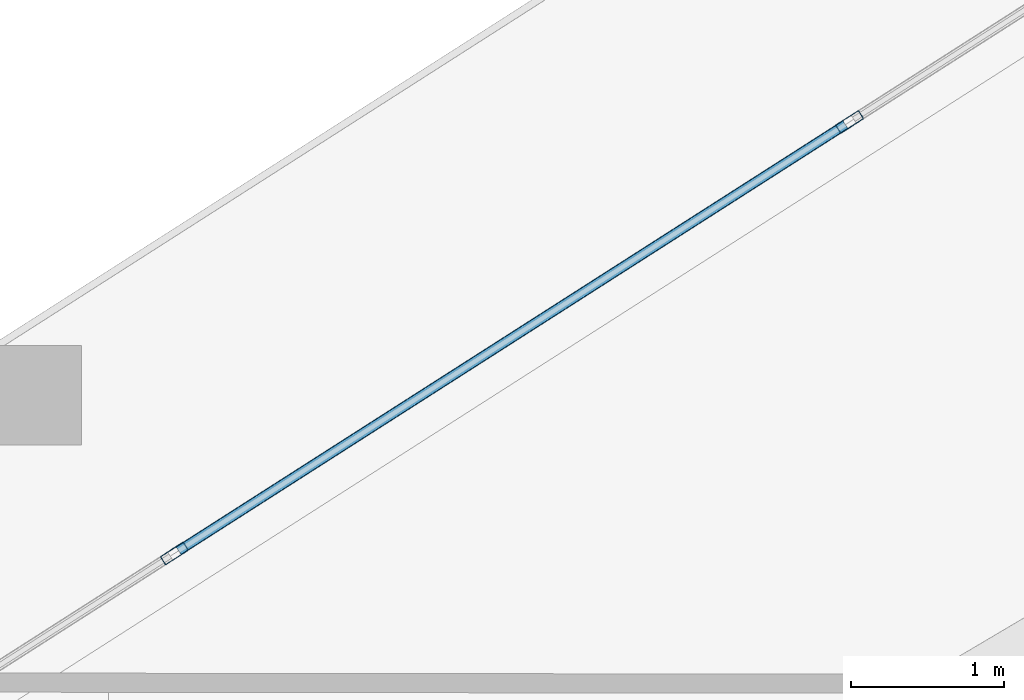
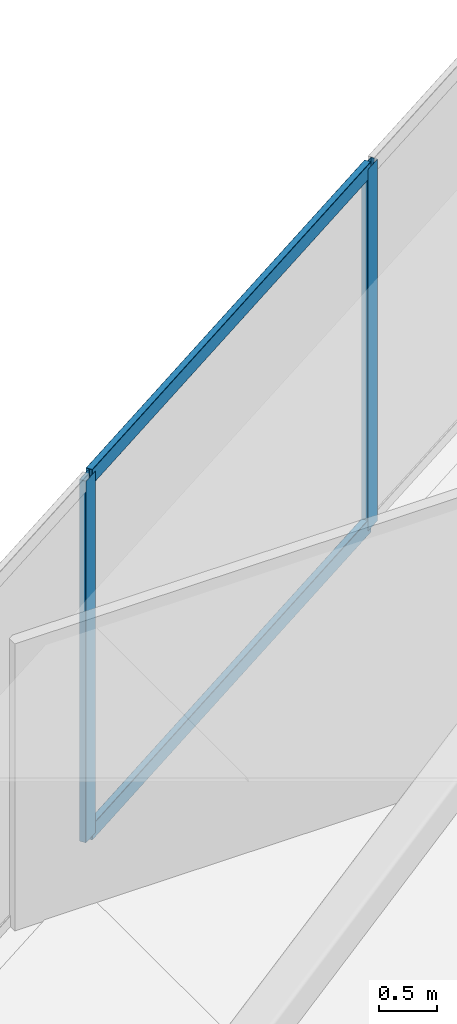
# One storey, part 18 of 43: 4 members, 1 element without a shape of its own.
"""IFC4 building model written with IfcOpenShell, lengths in metres."""

import ifcopenshell
import ifcopenshell.guid

model = None  # the IFC model being written
_history = None  # IfcOwnerHistory: only IFC2X3 demands one
_inside = {}  # id of a spatial element -> (the spatial element, [elements in it])
_under = {}  # id of a project, library or spatial element -> (it, [spatial elements below it])
_declared = {}  # id of a project -> (the project, [libraries it declares])
_typed = {}  # id of a type object -> (the type object, [elements of that type])
_made_of = {}  # id of a material, layer set ... -> (it, [elements and type objects made of it])


def new_model(schema):
    """Start an empty IFC model of exactly this schema.

    Asked for "IFC4X3", IfcOpenShell would pick the latest addendum, in which some entities
    have other attributes; the version numbers below select the first issue.
    IFC2X3 requires an IfcOwnerHistory on every rooted entity: one is made here for all.
    """
    global model, _history
    if schema == "IFC4X3":
        model = ifcopenshell.file(schema_version=(4, 3, 0, 0))
    else:
        model = ifcopenshell.file(schema=schema)
    _inside.clear()
    _under.clear()
    _declared.clear()
    _typed.clear()
    _made_of.clear()
    _history = None
    if model.schema == "IFC2X3":
        org = make("IfcOrganization", Name="unknown")
        user = make(
            "IfcPersonAndOrganization",
            ThePerson=make("IfcPerson", FamilyName="unknown"),
            TheOrganization=org,
        )
        app = make(
            "IfcApplication",
            ApplicationDeveloper=org,
            Version="unknown",
            ApplicationFullName="unknown",
            ApplicationIdentifier="unknown",
        )
        _history = make(
            "IfcOwnerHistory",
            OwningUser=user,
            OwningApplication=app,
            ChangeAction="ADDED",
            CreationDate=0,
        )
    return model


def make(cls, **values):
    """One entity of the class cls with the attributes given. An attribute that is None is left unset."""
    return model.create_entity(
        cls, **{name: value for name, value in values.items() if value is not None}
    )


def rooted(cls, **values):
    """An entity with a GlobalId (a new one), such as an element, a storey or a relation."""
    return make(cls, GlobalId=ifcopenshell.guid.new(), OwnerHistory=_history, **values)


def si_unit(unit_type, name, prefix=None):
    """IfcSIUnit, for example si_unit("LENGTHUNIT", "METRE", prefix="MILLI")."""
    return make("IfcSIUnit", UnitType=unit_type, Prefix=prefix, Name=name)


def assignment(units):
    """IfcUnitAssignment: the units of a project."""
    return None if units is None else make("IfcUnitAssignment", Units=units)


def point(xyz):
    """IfcCartesianPoint."""
    return None if xyz is None else make("IfcCartesianPoint", Coordinates=xyz)


def direction(xyz):
    """IfcDirection."""
    return None if xyz is None else make("IfcDirection", DirectionRatios=xyz)


def frame(location, z_axis=None, x_axis=None):
    """IfcAxis2Placement3D, a coordinate frame: its origin and axes. An axis left out is left unset."""
    return make(
        "IfcAxis2Placement3D",
        Location=point(location),
        Axis=direction(z_axis),
        RefDirection=direction(x_axis),
    )


def frame_2d(location, x_axis=None):
    """IfcAxis2Placement2D, a coordinate frame in the plane: its origin and x axis."""
    return make(
        "IfcAxis2Placement2D", Location=point(location), RefDirection=direction(x_axis)
    )


def origin():
    """The frame at (0, 0, 0) with its axes left unset."""
    return frame((0.0, 0.0, 0.0))


def origin_2d():
    """The frame at (0, 0) in the plane with its x axis left unset."""
    return frame_2d((0.0, 0.0))


def place(relative_to, where):
    """IfcLocalPlacement: puts the frame where relative to a parent placement (None: the world)."""
    return make(
        "IfcLocalPlacement", PlacementRelTo=relative_to, RelativePlacement=where
    )


def context(
    kind, dimensions, precision=None, world=None, true_north=None, identifier=None
):
    """IfcGeometricRepresentationContext, for example the 3D "Model" context."""
    return make(
        "IfcGeometricRepresentationContext",
        ContextIdentifier=identifier,
        ContextType=kind,
        CoordinateSpaceDimension=dimensions,
        Precision=precision,
        WorldCoordinateSystem=world,
        TrueNorth=true_north,
    )


def subcontext(parent, identifier, kind, view, scale=None):
    """IfcGeometricRepresentationSubContext, for example "Body" below "Model"."""
    return make(
        "IfcGeometricRepresentationSubContext",
        ContextIdentifier=identifier,
        ContextType=kind,
        ParentContext=parent,
        TargetScale=scale,
        TargetView=view,
    )


def project(units=None, contexts=None):
    """IfcProject with its units and contexts."""
    return rooted(
        "IfcProject",
        Name="project",
        RepresentationContexts=contexts,
        UnitsInContext=assignment(units),
    )


def spatial(cls, under=None, at=None, **own):
    """A site, building, storey or space (cls), placed at a placement, below another one or the project."""
    s = rooted(cls, ObjectPlacement=at, **own)
    if under is not None:
        _under.setdefault(under.id(), (under, []))[1].append(s)
    return s


def profile(cls, at=None, kind="AREA", **sizes):
    """A parametric profile (cls). Its sizes go by their IFC names, for example OverallWidth=200.0."""
    return make(cls, ProfileType=kind, Position=at, **sizes)


def hollow_rectangle(**sizes):
    """IfcRectangleHollowProfileDef."""
    return profile("IfcRectangleHollowProfileDef", **sizes)


def extrude(swept, where, along, depth):
    """IfcExtrudedAreaSolid: the profile swept, set in the frame where, extruded along a direction by depth."""
    return make(
        "IfcExtrudedAreaSolid",
        SweptArea=swept,
        Position=where,
        ExtrudedDirection=direction(along),
        Depth=depth,
    )


def shape(context_of_items, identifier, shape_type, items):
    """IfcShapeRepresentation: the items that make up one representation, for example the "Body"."""
    return make(
        "IfcShapeRepresentation",
        ContextOfItems=context_of_items,
        RepresentationIdentifier=identifier,
        RepresentationType=shape_type,
        Items=items,
    )


def material(Name=None, Category=None):
    """IfcMaterial."""
    return make("IfcMaterial", Name=Name, Category=Category)


def layer(
    of_material, thickness, ventilated=None, Name=None, Category=None, Priority=None
):
    """IfcMaterialLayer: one layer of a wall or slab, of a material (None: an air gap)."""
    return make(
        "IfcMaterialLayer",
        Material=of_material,
        LayerThickness=thickness,
        IsVentilated=ventilated,
        Name=Name,
        Category=Category,
        Priority=Priority,
    )


def layer_set(layers, Name=None):
    """IfcMaterialLayerSet."""
    return make("IfcMaterialLayerSet", MaterialLayers=layers, LayerSetName=Name)


def material_profile(
    of_material, cross_section, Name=None, Category=None, Priority=None
):
    """IfcMaterialProfile: a cross section and its material."""
    return make(
        "IfcMaterialProfile",
        Name=Name,
        Material=of_material,
        Profile=cross_section,
        Priority=Priority,
        Category=Category,
    )


def profile_set(profiles, Name=None, composite=None):
    """IfcMaterialProfileSet."""
    return make(
        "IfcMaterialProfileSet",
        Name=Name,
        MaterialProfiles=profiles,
        CompositeProfile=composite,
    )


def made_of(thing, what):
    """Note that an element or type object is made of a material, layer set ...; save() writes the relation."""
    if what is not None:
        _made_of.setdefault(what.id(), (what, []))[1].append(thing)
    return thing


def type_object(cls, material=None, **own):
    """A type object (cls), such as IfcWallType, which elements share."""
    return made_of(rooted(cls, **own), material)


def element(
    cls,
    number,
    at=None,
    inside=None,
    cuts=None,
    type_object=None,
    material=None,
    context=None,
    identifier="Body",
    shape_type=None,
    held_by="IfcProductDefinitionShape",
    body=None,
    shapes=None,
    **own,
):
    """One element of the class cls, such as IfcWall. Its Tag is "e" and its number.

    at: its placement. inside: the storey or other place that contains it. cuts: it is an
    opening in that element (IfcRelVoidsElement). A single representation is given by context,
    identifier, shape_type and body (its items); several are given by shapes. held_by: the class
    of the entity that holds the representations. save() writes the other relations.
    """
    e = rooted(cls, Tag="e%d" % number, ObjectPlacement=at, **own)
    if body is not None:
        shapes = [shape(context, identifier, shape_type, body)]
    if shapes is not None:
        e.Representation = make(held_by, Representations=shapes)
    if inside is not None:
        _inside.setdefault(inside.id(), (inside, []))[1].append(e)
    if cuts is not None:
        rooted(
            "IfcRelVoidsElement", RelatingBuildingElement=cuts, RelatedOpeningElement=e
        )
    if type_object is not None:
        _typed.setdefault(type_object.id(), (type_object, []))[1].append(e)
    return made_of(e, material)


def aggregate(whole, parts):
    """IfcRelAggregates: a whole, such as a stair, and the parts it consists of."""
    return rooted("IfcRelAggregates", RelatingObject=whole, RelatedObjects=parts)


def save(model, path):
    """Write the relations noted so far, then the file.

    IfcRelAggregates (storeys below a building ...), IfcRelContainedInSpatialStructure (elements
    in a storey), IfcRelDefinesByType, IfcRelAssociatesMaterial and IfcRelDeclares: one each for
    every whole, place, type object, material and project.
    """
    for whole, parts in _under.values():
        aggregate(whole, parts)
    for where, things in _inside.values():
        rooted(
            "IfcRelContainedInSpatialStructure",
            RelatedElements=things,
            RelatingStructure=where,
        )
    for kind, things in _typed.values():
        rooted("IfcRelDefinesByType", RelatedObjects=things, RelatingType=kind)
    for what, things in _made_of.values():
        rooted("IfcRelAssociatesMaterial", RelatedObjects=things, RelatingMaterial=what)
    for by, libraries in _declared.values():
        rooted("IfcRelDeclares", RelatingContext=by, RelatedDefinitions=libraries)
    model.write(path)


model = new_model("IFC4")

# Units and contexts
model_context = context("Model", 3, precision=1e-05, world=origin(), true_north=direction((0.0, 1.0)))
body_context = subcontext(model_context, "Body", "Model", "MODEL_VIEW")
ifc_project = project(units=[si_unit("LENGTHUNIT", "METRE"), si_unit("AREAUNIT", "SQUARE_METRE"), si_unit("VOLUMEUNIT", "CUBIC_METRE"), si_unit("PLANEANGLEUNIT", "RADIAN"), si_unit("MASSUNIT", "GRAM", prefix="KILO")], contexts=[model_context])

# Site, building, storey
site_placement = place(None, origin())
site = spatial("IfcSite", under=ifc_project, at=site_placement, CompositionType="ELEMENT")
building_placement = place(site_placement, origin())
building = spatial("IfcBuilding", under=site, at=building_placement, Name="Qorvath Tower", CompositionType="ELEMENT")
storey_placement = place(building_placement, frame((0.0, 0.0, 213.14990234375)))
storey = spatial("IfcBuildingStorey", under=building, at=storey_placement, Name="L49", CompositionType="ELEMENT", Elevation=213.14990234375)

# Curtain wall, members
ifc_material_1 = material(Name="Anodised aluminium and triple low-E glass", Category="aluminium")
ifc_layer = layer(ifc_material_1, 0.179931640625)
ifc_layer_set = layer_set([ifc_layer], Name="CW-SYS-3")
curtain_wall_type = type_object("IfcCurtainWallType", Name="CW-SYS-3", PredefinedType="NOTDEFINED", material=ifc_layer_set)
curtain_wall_placement = place(storey_placement, origin())
curtain_wall = element("IfcCurtainWall", 1, at=curtain_wall_placement, inside=storey, type_object=curtain_wall_type, Name="Curtain Wall CW-3 CW-T-L49-16.1", PredefinedType="NOTDEFINED")
ifc_material_2 = material(Name="Anodised aluminium 6063-T6", Category="aluminium")
ifc_material_profile_1 = material_profile(ifc_material_2, hollow_rectangle(XDim=0.06494140625, YDim=0.179931640625, WallThickness=0.00341796875, InnerFilletRadius=0.00341796875, OuterFilletRadius=0.007080078125, at=origin_2d()), Name="CWM 180x65")
ifc_profile_set_1 = profile_set([ifc_material_profile_1], Name="Anodised aluminium 6063-T6")
member_type_1 = type_object("IfcMemberType", Name="CWM-180", PredefinedType="MULLION", material=ifc_profile_set_1)
member_1_placement = place(storey_placement, frame((-39.38427734375, 12.441650390625, 0.0), z_axis=(0.0, 0.0, 1.0), x_axis=(0.538532455845, -0.842604767374, 0.0)))
member_1 = element("IfcMember", 2, at=member_1_placement, type_object=member_type_1, Name="CW-3 mullion 6", PredefinedType="MULLION", context=body_context, shape_type="SweptSolid", body=[
    extrude(hollow_rectangle(XDim=0.06494140625, YDim=0.179931640625, WallThickness=0.00341796875, InnerFilletRadius=0.00341796875, OuterFilletRadius=0.007080078125, at=origin_2d()), origin(), (0.0, 0.0, 1.0), 3.780029296875),
])
member_2_placement = place(storey_placement, frame((-43.802001953125, 9.6181640625, 0.0), z_axis=(0.0, 0.0, 1.0), x_axis=(0.538532455845, -0.842604767374, 0.0)))
member_2 = element("IfcMember", 3, at=member_2_placement, type_object=member_type_1, Name="CW-3 mullion 7", PredefinedType="MULLION", context=body_context, shape_type="SweptSolid", body=[
    extrude(hollow_rectangle(XDim=0.06494140625, YDim=0.179931640625, WallThickness=0.00341796875, InnerFilletRadius=0.00341796875, OuterFilletRadius=0.007080078125, at=origin_2d()), origin(), (0.0, 0.0, 1.0), 3.780029296875),
])
ifc_material_3 = material(Name="Anodised aluminium 6063-T6", Category="aluminium")
ifc_material_profile_2 = material_profile(ifc_material_3, hollow_rectangle(XDim=0.06494140625, YDim=0.159912109375, WallThickness=0.00341796875, InnerFilletRadius=0.00341796875, OuterFilletRadius=0.007080078125, at=origin_2d()), Name="CWT 160x65")
ifc_profile_set_2 = profile_set([ifc_material_profile_2], Name="Anodised aluminium 6063-T6")
member_type_2 = type_object("IfcMemberType", Name="CWT-160", PredefinedType="USERDEFINED", material=ifc_profile_set_2)
member_3_placement = place(storey_placement, frame((-39.41162109375, 12.424072265625, 0.032470703125), z_axis=(-0.84262316261, -0.538503672999, 0.0), x_axis=(0.538503672999, -0.84262316261, 0.0)))
member_3 = element("IfcMember", 4, at=member_3_placement, type_object=member_type_2, Name="CW-3 transom 6.1", ObjectType="TRANSOM", PredefinedType="USERDEFINED", context=body_context, shape_type="SweptSolid", body=[
    extrude(hollow_rectangle(XDim=0.06494140625, YDim=0.159912109375, WallThickness=0.00341796875, InnerFilletRadius=0.00341796875, OuterFilletRadius=0.007080078125, at=origin_2d()), origin(), (0.0, 0.0, 1.0), 5.177978515625),
])
member_4_placement = place(storey_placement, frame((-39.41162109375, 12.424072265625, 3.74755859375), z_axis=(-0.84262316261, -0.538503672999, 0.0), x_axis=(0.538503672999, -0.84262316261, 0.0)))
member_4 = element("IfcMember", 5, at=member_4_placement, type_object=member_type_2, Name="CW-3 transom 6.2", ObjectType="TRANSOM", PredefinedType="USERDEFINED", context=body_context, shape_type="SweptSolid", body=[
    extrude(hollow_rectangle(XDim=0.06494140625, YDim=0.159912109375, WallThickness=0.00341796875, InnerFilletRadius=0.00341796875, OuterFilletRadius=0.007080078125, at=origin_2d()), origin(), (0.0, 0.0, 1.0), 5.177978515625),
])
aggregate(curtain_wall, [member_1, member_2, member_3, member_4])

save(model, "model.ifc")
